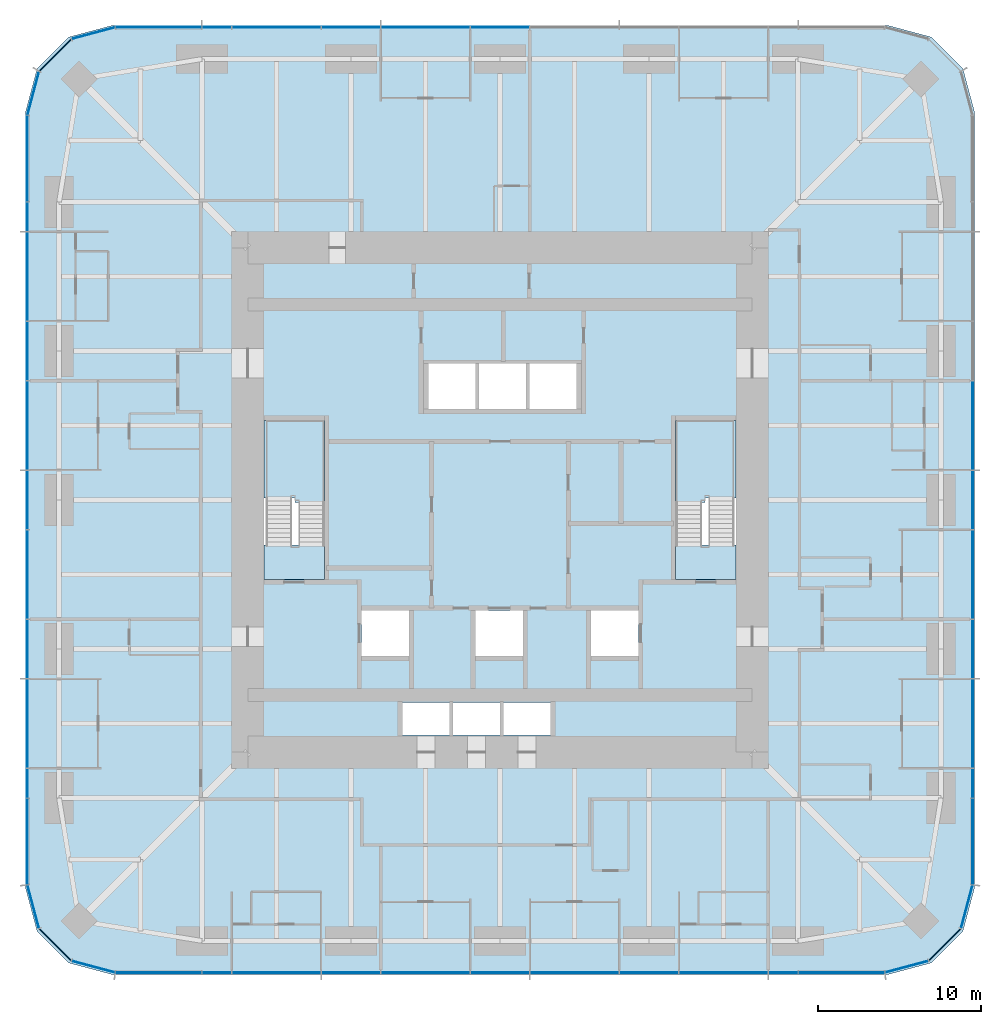
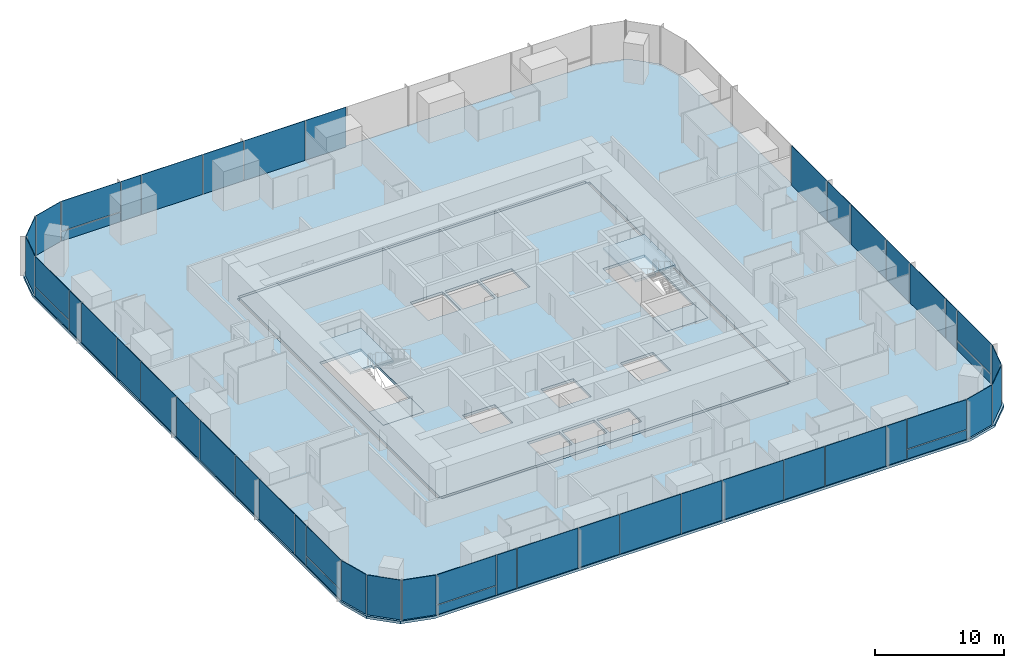
# One storey, part 7 of 13: 50 plates, 6 slabs, 9 elements without a shape of their own.
"""IFC4 building model written with IfcOpenShell, lengths in metres."""

from ifc_helpers import new_model, si_unit, direction, frame, origin, origin_2d, place, context, subcontext, project, spatial, polyline, rectangle, outline, extrude, material, layer, layer_set, type_object, element, aggregate, save


model = new_model("IFC4")

# Units and contexts
model_context = context("Model", 3, precision=1e-05, world=origin(), true_north=direction((0.0, 1.0)))
body_context = subcontext(model_context, "Body", "Model", "MODEL_VIEW")
ifc_project = project(units=[si_unit("LENGTHUNIT", "METRE"), si_unit("AREAUNIT", "SQUARE_METRE"), si_unit("VOLUMEUNIT", "CUBIC_METRE"), si_unit("PLANEANGLEUNIT", "RADIAN"), si_unit("MASSUNIT", "GRAM", prefix="KILO")], contexts=[model_context])

# Site, building, storey
site_placement = place(None, origin())
site = spatial("IfcSite", under=ifc_project, at=site_placement, CompositionType="ELEMENT")
building_placement = place(site_placement, origin())
building = spatial("IfcBuilding", under=site, at=building_placement, Name="Khuree Lantern Residences", CompositionType="ELEMENT")
storey_placement = place(building_placement, frame((0.0, 0.0, 122.25)))
storey = spatial("IfcBuildingStorey", under=building, at=storey_placement, Name="L30", CompositionType="ELEMENT", Elevation=122.25)

# Slab
ifc_material_1 = material(Name="Concrete C35/45", Category="concrete")
ifc_layer_1 = layer(ifc_material_1, 0.25)
ifc_layer_set_1 = layer_set([ifc_layer_1], Name="CFL250 CORE FLOOR SLAB 250")
slab_type_1 = type_object("IfcSlabType", Name="CFL250 CORE FLOOR SLAB 250", PredefinedType="FLOOR", material=ifc_layer_set_1)
slab_1_placement = place(storey_placement, frame((0.0, 0.0, -0.25)))
element("IfcSlab", 1, at=slab_1_placement, inside=storey, type_object=slab_type_1, Name="Core floor L30", PredefinedType="FLOOR", context=body_context, shape_type="SweptSolid", body=[
    extrude(outline(polyline([(-15.5, -15.5), (-15.5, 15.5), (15.5, 15.5), (15.5, -15.5), (-15.5, -15.5)]), holes=[polyline([(10.800048828125, 4.89990234375), (10.800048828125, -4.89990234375), (14.5, -4.89990234375), (14.5, 4.89990234375), (10.800048828125, 4.89990234375)]), polyline([(8.5, -6.800048828125), (5.60009765625, -6.800048828125), (5.60009765625, -9.60009765625), (8.5, -9.60009765625), (8.5, -6.800048828125)]), polyline([(4.699951171875, 8.39990234375), (1.800048828125, 8.39990234375), (1.800048828125, 5.60009765625), (4.699951171875, 5.60009765625), (4.699951171875, 8.39990234375)]), polyline([(3.10009765625, -12.449951171875), (0.199951171875, -12.449951171875), (0.199951171875, -14.449951171875), (3.10009765625, -14.449951171875), (3.10009765625, -12.449951171875)]), polyline([(1.60009765625, 8.39990234375), (-1.300048828125, 8.39990234375), (-1.300048828125, 5.60009765625), (1.60009765625, 5.60009765625), (1.60009765625, 8.39990234375)]), polyline([(1.39990234375, -6.800048828125), (-1.5, -6.800048828125), (-1.5, -9.60009765625), (1.39990234375, -9.60009765625), (1.39990234375, -6.800048828125)]), polyline([(-2.89990234375, -12.449951171875), (-2.89990234375, -14.449951171875), (0.0, -14.449951171875), (0.0, -12.449951171875), (-2.89990234375, -12.449951171875)]), polyline([(-4.39990234375, 8.39990234375), (-4.39990234375, 5.60009765625), (-1.5, 5.60009765625), (-1.5, 8.39990234375), (-4.39990234375, 8.39990234375)]), polyline([(-6.0, -12.449951171875), (-6.0, -14.449951171875), (-3.10009765625, -14.449951171875), (-3.10009765625, -12.449951171875), (-6.0, -12.449951171875)]), polyline([(-8.5, -6.800048828125), (-8.5, -9.60009765625), (-5.60009765625, -9.60009765625), (-5.60009765625, -6.800048828125), (-8.5, -6.800048828125)]), polyline([(-10.800048828125, 4.89990234375), (-14.5, 4.89990234375), (-14.5, -4.89990234375), (-10.800048828125, -4.89990234375), (-10.800048828125, 4.89990234375)])]), origin(), (0.0, 0.0, 1.0), 0.25),
])

# Curtain wall, plates
ifc_material_2 = material(Name="Bronze anodised aluminium", Category="aluminium")
curtain_wall_type_1 = type_object("IfcCurtainWallType", Name="CW-T2 TOWER CORNER CURTAIN WALL", PredefinedType="USERDEFINED", material=ifc_material_2)
curtain_wall_1_placement = place(storey_placement, origin())
curtain_wall_1 = element("IfcCurtainWall", 2, at=curtain_wall_1_placement, inside=storey, type_object=curtain_wall_type_1, Name="L30 SOUTH-EAST CORNER CURTAIN WALL", ObjectType="Faceted corner curtain wall", PredefinedType="USERDEFINED")
ifc_material_3 = material(Name="Bronze tinted triple glazing", Category="glass")
ifc_layer_2 = layer(ifc_material_3, 0.048095703125)
ifc_layer_set_2 = layer_set([ifc_layer_2], Name="FACET PANEL P4")
plate_type_1 = type_object("IfcPlateType", Name="FACET PANEL P4", PredefinedType="CURTAIN_PANEL", material=ifc_layer_set_2)
plate_1_placement = place(storey_placement, frame((24.998046875, -28.688720703125, 0.0), z_axis=(0.0, 0.0, 1.0), x_axis=(0.965925810153, 0.258819105321, 0.0)))
plate_1 = element("IfcPlate", 3, at=plate_1_placement, type_object=plate_type_1, Name="L30 SOUTH-EAST CORNER PANEL 1.1", PredefinedType="CURTAIN_PANEL", context=body_context, shape_type="SweptSolid", body=[
    extrude(rectangle(XDim=2.71923828125, YDim=0.048095703125, at=origin_2d()), origin(), (0.0, 0.0, 1.0), 3.75),
])
plate_2_placement = place(storey_placement, frame((27.33837890625, -27.33837890625, 0.0), z_axis=(0.0, 0.0, 1.0), x_axis=(0.707106781187, 0.707106781187, 0.0)))
plate_2 = element("IfcPlate", 4, at=plate_2_placement, type_object=plate_type_1, Name="L30 SOUTH-EAST CORNER PANEL 2.1", PredefinedType="CURTAIN_PANEL", context=body_context, shape_type="SweptSolid", body=[
    extrude(rectangle(XDim=2.715087890625, YDim=0.048095703125, at=origin_2d()), origin(), (0.0, 0.0, 1.0), 3.75),
])
plate_3_placement = place(storey_placement, frame((28.688720703125, -24.998046875, 0.0), z_axis=(0.0, 0.0, 1.0), x_axis=(0.258819105321, 0.965925810153, 0.0)))
plate_3 = element("IfcPlate", 5, at=plate_3_placement, type_object=plate_type_1, Name="L30 SOUTH-EAST CORNER PANEL 3.1", PredefinedType="CURTAIN_PANEL", context=body_context, shape_type="SweptSolid", body=[
    extrude(rectangle(XDim=2.71923828125, YDim=0.048095703125, at=origin_2d()), origin(), (0.0, 0.0, 1.0), 3.75),
])
aggregate(curtain_wall_1, [plate_1, plate_2, plate_3])

curtain_wall_2_placement = place(storey_placement, origin())
curtain_wall_2 = element("IfcCurtainWall", 6, at=curtain_wall_2_placement, inside=storey, type_object=curtain_wall_type_1, Name="L30 NORTH-WEST CORNER CURTAIN WALL", ObjectType="Faceted corner curtain wall", PredefinedType="USERDEFINED")
plate_4_placement = place(storey_placement, frame((-24.998046875, 28.688720703125, 0.0), z_axis=(0.0, 0.0, 1.0), x_axis=(-0.965925810153, -0.258819105321, 0.0)))
plate_4 = element("IfcPlate", 7, at=plate_4_placement, type_object=plate_type_1, Name="L30 NORTH-WEST CORNER PANEL 29.1", PredefinedType="CURTAIN_PANEL", context=body_context, shape_type="SweptSolid", body=[
    extrude(rectangle(XDim=2.71923828125, YDim=0.048095703125, at=origin_2d()), origin(), (0.0, 0.0, 1.0), 3.75),
])
plate_5_placement = place(storey_placement, frame((-27.33837890625, 27.33837890625, 0.0), z_axis=(0.0, 0.0, 1.0), x_axis=(-0.707106781187, -0.707106781187, 0.0)))
plate_5 = element("IfcPlate", 8, at=plate_5_placement, type_object=plate_type_1, Name="L30 NORTH-WEST CORNER PANEL 30.1", PredefinedType="CURTAIN_PANEL", context=body_context, shape_type="SweptSolid", body=[
    extrude(rectangle(XDim=2.715087890625, YDim=0.048095703125, at=origin_2d()), origin(), (0.0, 0.0, 1.0), 3.75),
])
plate_6_placement = place(storey_placement, frame((-28.688720703125, 24.998046875, 0.0), z_axis=(0.0, 0.0, 1.0), x_axis=(-0.258819105321, -0.965925810153, 0.0)))
plate_6 = element("IfcPlate", 9, at=plate_6_placement, type_object=plate_type_1, Name="L30 NORTH-WEST CORNER PANEL 31.1", PredefinedType="CURTAIN_PANEL", context=body_context, shape_type="SweptSolid", body=[
    extrude(rectangle(XDim=2.71923828125, YDim=0.048095703125, at=origin_2d()), origin(), (0.0, 0.0, 1.0), 3.75),
])
aggregate(curtain_wall_2, [plate_4, plate_5, plate_6])

curtain_wall_3_placement = place(storey_placement, origin())
curtain_wall_3 = element("IfcCurtainWall", 10, at=curtain_wall_3_placement, inside=storey, type_object=curtain_wall_type_1, Name="L30 SOUTH-WEST CORNER CURTAIN WALL", ObjectType="Faceted corner curtain wall", PredefinedType="USERDEFINED")
plate_7_placement = place(storey_placement, frame((-28.688720703125, -24.998046875, 0.0), z_axis=(0.0, 0.0, 1.0), x_axis=(0.258819105321, -0.965925810153, 0.0)))
plate_7 = element("IfcPlate", 11, at=plate_7_placement, type_object=plate_type_1, Name="L30 SOUTH-WEST CORNER PANEL 43.1", PredefinedType="CURTAIN_PANEL", context=body_context, shape_type="SweptSolid", body=[
    extrude(rectangle(XDim=2.71923828125, YDim=0.048095703125, at=origin_2d()), origin(), (0.0, 0.0, 1.0), 3.75),
])
plate_8_placement = place(storey_placement, frame((-27.33837890625, -27.33837890625, 0.0), z_axis=(0.0, 0.0, 1.0), x_axis=(0.707106781187, -0.707106781187, 0.0)))
plate_8 = element("IfcPlate", 12, at=plate_8_placement, type_object=plate_type_1, Name="L30 SOUTH-WEST CORNER PANEL 44.1", PredefinedType="CURTAIN_PANEL", context=body_context, shape_type="SweptSolid", body=[
    extrude(rectangle(XDim=2.715087890625, YDim=0.048095703125, at=origin_2d()), origin(), (0.0, 0.0, 1.0), 3.75),
])
plate_9_placement = place(storey_placement, frame((-24.998046875, -28.688720703125, 0.0), z_axis=(0.0, 0.0, 1.0), x_axis=(0.965925810153, -0.258819105321, 0.0)))
plate_9 = element("IfcPlate", 13, at=plate_9_placement, type_object=plate_type_1, Name="L30 SOUTH-WEST CORNER PANEL 45.1", PredefinedType="CURTAIN_PANEL", context=body_context, shape_type="SweptSolid", body=[
    extrude(rectangle(XDim=2.71923828125, YDim=0.048095703125, at=origin_2d()), origin(), (0.0, 0.0, 1.0), 3.75),
])
aggregate(curtain_wall_3, [plate_7, plate_8, plate_9])

curtain_wall_type_2 = type_object("IfcCurtainWallType", Name="CW-T1 TOWER FACE CURTAIN WALL", PredefinedType="USERDEFINED", material=ifc_material_2)
curtain_wall_4_placement = place(storey_placement, origin())
curtain_wall_4 = element("IfcCurtainWall", 14, at=curtain_wall_4_placement, inside=storey, type_object=curtain_wall_type_2, Name="L30 EAST FACE CURTAIN WALL", ObjectType="Stick-built curtain wall", PredefinedType="USERDEFINED")
ifc_material_4 = material(Name="Bronze tinted triple glazing with a ceramic-fritted spandrel band", Category="glass")
ifc_layer_3 = layer(ifc_material_4, 0.048095703125)
ifc_layer_set_3 = layer_set([ifc_layer_3], Name="FIXED LIGHT PANEL P11")
plate_type_2 = type_object("IfcPlateType", Name="FIXED LIGHT PANEL P11", PredefinedType="CURTAIN_PANEL", material=ifc_layer_set_3)
plate_10_placement = place(storey_placement, frame((29.050048828125, -13.739990234375, 0.0), z_axis=(0.0, 0.0, 1.0), x_axis=(0.0, 1.0, 0.0)))
plate_10 = element("IfcPlate", 15, at=plate_10_placement, type_object=plate_type_2, Name="L30 EAST FACE PANEL 6.1", PredefinedType="CURTAIN_PANEL", context=body_context, shape_type="SweptSolid", body=[
    extrude(rectangle(XDim=5.430908203125, YDim=0.048095703125, at=origin_2d()), origin(), (0.0, 0.0, 1.0), 3.75),
])
plate_11_placement = place(storey_placement, frame((29.050048828125, -4.580078125, 0.0), z_axis=(0.0, 0.0, 1.0), x_axis=(0.0, 1.0, 0.0)))
plate_11 = element("IfcPlate", 16, at=plate_11_placement, type_object=plate_type_2, Name="L30 EAST FACE PANEL 8.1", PredefinedType="CURTAIN_PANEL", context=body_context, shape_type="SweptSolid", body=[
    extrude(rectangle(XDim=5.430908203125, YDim=0.048095703125, at=origin_2d()), origin(), (0.0, 0.0, 1.0), 3.75),
])
plate_12_placement = place(storey_placement, frame((29.050048828125, 4.580078125, 0.0), z_axis=(0.0, 0.0, 1.0), x_axis=(0.0, 1.0, 0.0)))
plate_12 = element("IfcPlate", 17, at=plate_12_placement, type_object=plate_type_2, Name="L30 EAST FACE PANEL 10.1", PredefinedType="CURTAIN_PANEL", context=body_context, shape_type="SweptSolid", body=[
    extrude(rectangle(XDim=5.430908203125, YDim=0.048095703125, at=origin_2d()), origin(), (0.0, 0.0, 1.0), 3.75),
])

curtain_wall_5_placement = place(storey_placement, origin())
curtain_wall_5 = element("IfcCurtainWall", 18, at=curtain_wall_5_placement, inside=storey, type_object=curtain_wall_type_2, Name="L30 NORTH FACE CURTAIN WALL", ObjectType="Stick-built curtain wall", PredefinedType="USERDEFINED")
plate_13_placement = place(storey_placement, frame((-4.580078125, 29.050048828125, 0.0), z_axis=(0.0, 0.0, 1.0), x_axis=(-1.0, 0.0, 0.0)))
plate_13 = element("IfcPlate", 19, at=plate_13_placement, type_object=plate_type_2, Name="L30 NORTH FACE PANEL 24.1", PredefinedType="CURTAIN_PANEL", context=body_context, shape_type="SweptSolid", body=[
    extrude(rectangle(XDim=5.430908203125, YDim=0.048095703125, at=origin_2d()), origin(), (0.0, 0.0, 1.0), 3.75),
])
plate_14_placement = place(storey_placement, frame((-13.739990234375, 29.050048828125, 0.0), z_axis=(0.0, 0.0, 1.0), x_axis=(-1.0, 0.0, 0.0)))
plate_14 = element("IfcPlate", 20, at=plate_14_placement, type_object=plate_type_2, Name="L30 NORTH FACE PANEL 26.1", PredefinedType="CURTAIN_PANEL", context=body_context, shape_type="SweptSolid", body=[
    extrude(rectangle(XDim=5.430908203125, YDim=0.048095703125, at=origin_2d()), origin(), (0.0, 0.0, 1.0), 3.75),
])

curtain_wall_6_placement = place(storey_placement, origin())
curtain_wall_6 = element("IfcCurtainWall", 21, at=curtain_wall_6_placement, inside=storey, type_object=curtain_wall_type_2, Name="L30 WEST FACE CURTAIN WALL", ObjectType="Stick-built curtain wall", PredefinedType="USERDEFINED")
plate_15_placement = place(storey_placement, frame((-29.050048828125, 13.739990234375, 0.0), z_axis=(0.0, 0.0, 1.0), x_axis=(0.0, -1.0, 0.0)))
plate_15 = element("IfcPlate", 22, at=plate_15_placement, type_object=plate_type_2, Name="L30 WEST FACE PANEL 34.1", PredefinedType="CURTAIN_PANEL", context=body_context, shape_type="SweptSolid", body=[
    extrude(rectangle(XDim=5.430908203125, YDim=0.048095703125, at=origin_2d()), origin(), (0.0, 0.0, 1.0), 3.75),
])
plate_16_placement = place(storey_placement, frame((-29.050048828125, 4.580078125, 0.0), z_axis=(0.0, 0.0, 1.0), x_axis=(0.0, -1.0, 0.0)))
plate_16 = element("IfcPlate", 23, at=plate_16_placement, type_object=plate_type_2, Name="L30 WEST FACE PANEL 36.1", PredefinedType="CURTAIN_PANEL", context=body_context, shape_type="SweptSolid", body=[
    extrude(rectangle(XDim=5.430908203125, YDim=0.048095703125, at=origin_2d()), origin(), (0.0, 0.0, 1.0), 3.75),
])
plate_17_placement = place(storey_placement, frame((-29.050048828125, -4.580078125, 0.0), z_axis=(0.0, 0.0, 1.0), x_axis=(0.0, -1.0, 0.0)))
plate_17 = element("IfcPlate", 24, at=plate_17_placement, type_object=plate_type_2, Name="L30 WEST FACE PANEL 38.1", PredefinedType="CURTAIN_PANEL", context=body_context, shape_type="SweptSolid", body=[
    extrude(rectangle(XDim=5.430908203125, YDim=0.048095703125, at=origin_2d()), origin(), (0.0, 0.0, 1.0), 3.75),
])
plate_18_placement = place(storey_placement, frame((-29.050048828125, -13.739990234375, 0.0), z_axis=(0.0, 0.0, 1.0), x_axis=(0.0, -1.0, 0.0)))
plate_18 = element("IfcPlate", 25, at=plate_18_placement, type_object=plate_type_2, Name="L30 WEST FACE PANEL 40.1", PredefinedType="CURTAIN_PANEL", context=body_context, shape_type="SweptSolid", body=[
    extrude(rectangle(XDim=5.430908203125, YDim=0.048095703125, at=origin_2d()), origin(), (0.0, 0.0, 1.0), 3.75),
])

curtain_wall_7_placement = place(storey_placement, origin())
curtain_wall_7 = element("IfcCurtainWall", 26, at=curtain_wall_7_placement, inside=storey, type_object=curtain_wall_type_2, Name="L30 SOUTH FACE CURTAIN WALL", ObjectType="Stick-built curtain wall", PredefinedType="USERDEFINED")
plate_19_placement = place(storey_placement, frame((-13.739990234375, -29.050048828125, 0.0), z_axis=(0.0, 0.0, 1.0), x_axis=(1.0, 0.0, 0.0)))
plate_19 = element("IfcPlate", 27, at=plate_19_placement, type_object=plate_type_2, Name="L30 SOUTH FACE PANEL 48.1", PredefinedType="CURTAIN_PANEL", context=body_context, shape_type="SweptSolid", body=[
    extrude(rectangle(XDim=5.430908203125, YDim=0.048095703125, at=origin_2d()), origin(), (0.0, 0.0, 1.0), 3.75),
])
plate_20_placement = place(storey_placement, frame((-4.580078125, -29.050048828125, 0.0), z_axis=(0.0, 0.0, 1.0), x_axis=(1.0, 0.0, 0.0)))
plate_20 = element("IfcPlate", 28, at=plate_20_placement, type_object=plate_type_2, Name="L30 SOUTH FACE PANEL 50.1", PredefinedType="CURTAIN_PANEL", context=body_context, shape_type="SweptSolid", body=[
    extrude(rectangle(XDim=5.430908203125, YDim=0.048095703125, at=origin_2d()), origin(), (0.0, 0.0, 1.0), 3.75),
])
plate_21_placement = place(storey_placement, frame((4.580078125, -29.050048828125, 0.0), z_axis=(0.0, 0.0, 1.0), x_axis=(1.0, 0.0, 0.0)))
plate_21 = element("IfcPlate", 29, at=plate_21_placement, type_object=plate_type_2, Name="L30 SOUTH FACE PANEL 52.1", PredefinedType="CURTAIN_PANEL", context=body_context, shape_type="SweptSolid", body=[
    extrude(rectangle(XDim=5.430908203125, YDim=0.048095703125, at=origin_2d()), origin(), (0.0, 0.0, 1.0), 3.75),
])
plate_22_placement = place(storey_placement, frame((13.739990234375, -29.050048828125, 0.0), z_axis=(0.0, 0.0, 1.0), x_axis=(1.0, 0.0, 0.0)))
plate_22 = element("IfcPlate", 30, at=plate_22_placement, type_object=plate_type_2, Name="L30 SOUTH FACE PANEL 54.1", PredefinedType="CURTAIN_PANEL", context=body_context, shape_type="SweptSolid", body=[
    extrude(rectangle(XDim=5.430908203125, YDim=0.048095703125, at=origin_2d()), origin(), (0.0, 0.0, 1.0), 3.75),
])

# Slab
ifc_layer_4 = layer(ifc_material_1, 0.25)
ifc_layer_set_4 = layer_set([ifc_layer_4], Name="FS250 FLOOR SLAB 250")
slab_type_2 = type_object("IfcSlabType", Name="FS250 FLOOR SLAB 250", PredefinedType="FLOOR", material=ifc_layer_set_4)
slab_2_placement = place(storey_placement, frame((0.0, 0.0, -0.25)))
element("IfcSlab", 31, at=slab_2_placement, inside=storey, type_object=slab_type_2, Name="Floor slab L30", PredefinedType="FLOOR", context=body_context, shape_type="SweptSolid", body=[
    extrude(outline(polyline([(-26.52490234375, -28.446533203125), (-28.446533203125, -26.52490234375), (-29.14990234375, -23.89990234375), (-29.14990234375, 23.89990234375), (-28.446533203125, 26.52490234375), (-26.52490234375, 28.446533203125), (-23.89990234375, 29.14990234375), (23.89990234375, 29.14990234375), (26.52490234375, 28.446533203125), (28.446533203125, 26.52490234375), (29.14990234375, 23.89990234375), (29.14990234375, -23.89990234375), (28.446533203125, -26.52490234375), (26.52490234375, -28.446533203125), (23.89990234375, -29.14990234375), (-23.89990234375, -29.14990234375), (-26.52490234375, -28.446533203125)]), holes=[polyline([(15.75, 15.5), (15.5, 15.5), (15.5, 15.75), (-15.5, 15.75), (-15.5, 15.5), (-15.75, 15.5), (-15.75, -15.5), (-15.5, -15.5), (-15.5, -15.75), (15.5, -15.75), (15.5, -15.5), (15.75, -15.5), (15.75, 15.5)])]), origin(), (0.0, 0.0, 1.0), 0.25),
])

# Plate
ifc_material_5 = material(Name="Bronze tinted triple glazing, two aluminium-framed sashes in one frame", Category="aluminium")
ifc_layer_5 = layer(ifc_material_5, 0.048095703125)
ifc_layer_set_5 = layer_set([ifc_layer_5], Name="SASH PAIR PANEL P12")
plate_type_3 = type_object("IfcPlateType", Name="SASH PAIR PANEL P12", PredefinedType="CURTAIN_PANEL", material=ifc_layer_set_5)
plate_23_placement = place(storey_placement, frame((29.050048828125, -9.159912109375, 0.0), z_axis=(0.0, 0.0, 1.0), x_axis=(0.0, 1.0, 0.0)))
plate_23 = element("IfcPlate", 32, at=plate_23_placement, type_object=plate_type_3, Name="L30 EAST FACE PANEL 7.1", PredefinedType="CURTAIN_PANEL", context=body_context, shape_type="SweptSolid", body=[
    extrude(rectangle(XDim=3.59912109375, YDim=0.048095703125, at=origin_2d()), origin(), (0.0, 0.0, 1.0), 3.75),
])

plate_24_placement = place(storey_placement, frame((29.050048828125, 0.0, 0.0), z_axis=(0.0, 0.0, 1.0), x_axis=(0.0, 1.0, 0.0)))
plate_24 = element("IfcPlate", 33, at=plate_24_placement, type_object=plate_type_3, Name="L30 EAST FACE PANEL 9.1", PredefinedType="CURTAIN_PANEL", context=body_context, shape_type="SweptSolid", body=[
    extrude(rectangle(XDim=3.59912109375, YDim=0.048095703125, at=origin_2d()), origin(), (0.0, 0.0, 1.0), 3.75),
])

plate_25_placement = place(storey_placement, frame((0.0, 29.050048828125, 0.0), z_axis=(0.0, 0.0, 1.0), x_axis=(-1.0, 0.0, 0.0)))
plate_25 = element("IfcPlate", 34, at=plate_25_placement, type_object=plate_type_3, Name="L30 NORTH FACE PANEL 23.1", PredefinedType="CURTAIN_PANEL", context=body_context, shape_type="SweptSolid", body=[
    extrude(rectangle(XDim=3.59912109375, YDim=0.048095703125, at=origin_2d()), origin(), (0.0, 0.0, 1.0), 3.75),
])

plate_26_placement = place(storey_placement, frame((-9.159912109375, 29.050048828125, 0.0), z_axis=(0.0, 0.0, 1.0), x_axis=(-1.0, 0.0, 0.0)))
plate_26 = element("IfcPlate", 35, at=plate_26_placement, type_object=plate_type_3, Name="L30 NORTH FACE PANEL 25.1", PredefinedType="CURTAIN_PANEL", context=body_context, shape_type="SweptSolid", body=[
    extrude(rectangle(XDim=3.59912109375, YDim=0.048095703125, at=origin_2d()), origin(), (0.0, 0.0, 1.0), 3.75),
])

plate_27_placement = place(storey_placement, frame((-29.050048828125, 9.159912109375, 0.0), z_axis=(0.0, 0.0, 1.0), x_axis=(0.0, -1.0, 0.0)))
plate_27 = element("IfcPlate", 36, at=plate_27_placement, type_object=plate_type_3, Name="L30 WEST FACE PANEL 35.1", PredefinedType="CURTAIN_PANEL", context=body_context, shape_type="SweptSolid", body=[
    extrude(rectangle(XDim=3.59912109375, YDim=0.048095703125, at=origin_2d()), origin(), (0.0, 0.0, 1.0), 3.75),
])

plate_28_placement = place(storey_placement, frame((-29.050048828125, 0.0, 0.0), z_axis=(0.0, 0.0, 1.0), x_axis=(0.0, -1.0, 0.0)))
plate_28 = element("IfcPlate", 37, at=plate_28_placement, type_object=plate_type_3, Name="L30 WEST FACE PANEL 37.1", PredefinedType="CURTAIN_PANEL", context=body_context, shape_type="SweptSolid", body=[
    extrude(rectangle(XDim=3.59912109375, YDim=0.048095703125, at=origin_2d()), origin(), (0.0, 0.0, 1.0), 3.75),
])

plate_29_placement = place(storey_placement, frame((-29.050048828125, -9.159912109375, 0.0), z_axis=(0.0, 0.0, 1.0), x_axis=(0.0, -1.0, 0.0)))
plate_29 = element("IfcPlate", 38, at=plate_29_placement, type_object=plate_type_3, Name="L30 WEST FACE PANEL 39.1", PredefinedType="CURTAIN_PANEL", context=body_context, shape_type="SweptSolid", body=[
    extrude(rectangle(XDim=3.59912109375, YDim=0.048095703125, at=origin_2d()), origin(), (0.0, 0.0, 1.0), 3.75),
])

plate_30_placement = place(storey_placement, frame((-9.159912109375, -29.050048828125, 0.0), z_axis=(0.0, 0.0, 1.0), x_axis=(1.0, 0.0, 0.0)))
plate_30 = element("IfcPlate", 39, at=plate_30_placement, type_object=plate_type_3, Name="L30 SOUTH FACE PANEL 49.1", PredefinedType="CURTAIN_PANEL", context=body_context, shape_type="SweptSolid", body=[
    extrude(rectangle(XDim=3.59912109375, YDim=0.048095703125, at=origin_2d()), origin(), (0.0, 0.0, 1.0), 3.75),
])

plate_31_placement = place(storey_placement, frame((0.0, -29.050048828125, 0.0), z_axis=(0.0, 0.0, 1.0), x_axis=(1.0, 0.0, 0.0)))
plate_31 = element("IfcPlate", 40, at=plate_31_placement, type_object=plate_type_3, Name="L30 SOUTH FACE PANEL 51.1", PredefinedType="CURTAIN_PANEL", context=body_context, shape_type="SweptSolid", body=[
    extrude(rectangle(XDim=3.59912109375, YDim=0.048095703125, at=origin_2d()), origin(), (0.0, 0.0, 1.0), 3.75),
])

plate_32_placement = place(storey_placement, frame((9.159912109375, -29.050048828125, 0.0), z_axis=(0.0, 0.0, 1.0), x_axis=(1.0, 0.0, 0.0)))
plate_32 = element("IfcPlate", 41, at=plate_32_placement, type_object=plate_type_3, Name="L30 SOUTH FACE PANEL 53.1", PredefinedType="CURTAIN_PANEL", context=body_context, shape_type="SweptSolid", body=[
    extrude(rectangle(XDim=3.59912109375, YDim=0.048095703125, at=origin_2d()), origin(), (0.0, 0.0, 1.0), 3.75),
])

ifc_material_6 = material(Name="Bronze tinted triple glazing, aluminium-framed sash", Category="aluminium")
ifc_layer_6 = layer(ifc_material_6, 0.048095703125)
ifc_layer_set_6 = layer_set([ifc_layer_6], Name="SASH PANEL P3")
plate_type_4 = type_object("IfcPlateType", Name="SASH PANEL P3", PredefinedType="CURTAIN_PANEL", material=ifc_layer_set_6)
plate_33_placement = place(storey_placement, frame((29.050048828125, -17.404052734375, 0.0), z_axis=(0.0, 0.0, 1.0), x_axis=(0.0, 1.0, 0.0)))
plate_33 = element("IfcPlate", 42, at=plate_33_placement, type_object=plate_type_4, Name="L30 EAST FACE PANEL 5.1", PredefinedType="CURTAIN_PANEL", context=body_context, shape_type="SweptSolid", body=[
    extrude(rectangle(XDim=1.76708984375, YDim=0.048095703125, at=origin_2d()), origin(), (0.0, 0.0, 1.0), 3.75),
])

plate_34_placement = place(storey_placement, frame((-17.404052734375, 29.050048828125, 0.0), z_axis=(0.0, 0.0, 1.0), x_axis=(-1.0, 0.0, 0.0)))
plate_34 = element("IfcPlate", 43, at=plate_34_placement, type_object=plate_type_4, Name="L30 NORTH FACE PANEL 27.1", PredefinedType="CURTAIN_PANEL", context=body_context, shape_type="SweptSolid", body=[
    extrude(rectangle(XDim=1.76708984375, YDim=0.048095703125, at=origin_2d()), origin(), (0.0, 0.0, 1.0), 3.75),
])

plate_35_placement = place(storey_placement, frame((-29.050048828125, 17.404052734375, 0.0), z_axis=(0.0, 0.0, 1.0), x_axis=(0.0, -1.0, 0.0)))
plate_35 = element("IfcPlate", 44, at=plate_35_placement, type_object=plate_type_4, Name="L30 WEST FACE PANEL 33.1", PredefinedType="CURTAIN_PANEL", context=body_context, shape_type="SweptSolid", body=[
    extrude(rectangle(XDim=1.76708984375, YDim=0.048095703125, at=origin_2d()), origin(), (0.0, 0.0, 1.0), 3.75),
])

plate_36_placement = place(storey_placement, frame((-29.050048828125, -17.404052734375, 0.0), z_axis=(0.0, 0.0, 1.0), x_axis=(0.0, -1.0, 0.0)))
plate_36 = element("IfcPlate", 45, at=plate_36_placement, type_object=plate_type_4, Name="L30 WEST FACE PANEL 41.1", PredefinedType="CURTAIN_PANEL", context=body_context, shape_type="SweptSolid", body=[
    extrude(rectangle(XDim=1.76708984375, YDim=0.048095703125, at=origin_2d()), origin(), (0.0, 0.0, 1.0), 3.75),
])

plate_37_placement = place(storey_placement, frame((-17.404052734375, -29.050048828125, 0.0), z_axis=(0.0, 0.0, 1.0), x_axis=(1.0, 0.0, 0.0)))
plate_37 = element("IfcPlate", 46, at=plate_37_placement, type_object=plate_type_4, Name="L30 SOUTH FACE PANEL 47.1", PredefinedType="CURTAIN_PANEL", context=body_context, shape_type="SweptSolid", body=[
    extrude(rectangle(XDim=1.76708984375, YDim=0.048095703125, at=origin_2d()), origin(), (0.0, 0.0, 1.0), 3.75),
])

plate_38_placement = place(storey_placement, frame((17.404052734375, -29.050048828125, 0.0), z_axis=(0.0, 0.0, 1.0), x_axis=(1.0, 0.0, 0.0)))
plate_38 = element("IfcPlate", 47, at=plate_38_placement, type_object=plate_type_4, Name="L30 SOUTH FACE PANEL 55.1", PredefinedType="CURTAIN_PANEL", context=body_context, shape_type="SweptSolid", body=[
    extrude(rectangle(XDim=1.76708984375, YDim=0.048095703125, at=origin_2d()), origin(), (0.0, 0.0, 1.0), 3.75),
])

ifc_material_7 = material(Name="Bronze anodised aluminium insulated spandrel", Category="aluminium")
ifc_layer_7 = layer(ifc_material_7, 0.06005859375)
ifc_layer_set_7 = layer_set([ifc_layer_7], Name="SPANDREL PANEL P2")
plate_type_5 = type_object("IfcPlateType", Name="SPANDREL PANEL P2", PredefinedType="CURTAIN_PANEL", material=ifc_layer_set_7)
plate_39_placement = place(storey_placement, frame((29.050048828125, -20.98291015625, 0.0), z_axis=(0.0, 0.0, 1.0), x_axis=(0.0, 1.0, 0.0)))
plate_39 = element("IfcPlate", 48, at=plate_39_placement, type_object=plate_type_5, Name="L30 EAST FACE PANEL 4.1", PredefinedType="CURTAIN_PANEL", context=body_context, shape_type="SweptSolid", body=[
    extrude(rectangle(XDim=5.2607421875, YDim=0.06005859375, at=origin_2d()), origin(), (0.0, 0.0, 1.0), 0.867431640625),
])

plate_40_placement = place(storey_placement, frame((-20.98291015625, 29.050048828125, 0.0), z_axis=(0.0, 0.0, 1.0), x_axis=(-1.0, 0.0, 0.0)))
plate_40 = element("IfcPlate", 49, at=plate_40_placement, type_object=plate_type_5, Name="L30 NORTH FACE PANEL 28.1", PredefinedType="CURTAIN_PANEL", context=body_context, shape_type="SweptSolid", body=[
    extrude(rectangle(XDim=5.2607421875, YDim=0.06005859375, at=origin_2d()), origin(), (0.0, 0.0, 1.0), 0.867431640625),
])

plate_41_placement = place(storey_placement, frame((-29.050048828125, 20.98291015625, 0.0), z_axis=(0.0, 0.0, 1.0), x_axis=(0.0, -1.0, 0.0)))
plate_41 = element("IfcPlate", 50, at=plate_41_placement, type_object=plate_type_5, Name="L30 WEST FACE PANEL 32.1", PredefinedType="CURTAIN_PANEL", context=body_context, shape_type="SweptSolid", body=[
    extrude(rectangle(XDim=5.2607421875, YDim=0.06005859375, at=origin_2d()), origin(), (0.0, 0.0, 1.0), 0.867431640625),
])

plate_42_placement = place(storey_placement, frame((-29.050048828125, -20.98291015625, 0.0), z_axis=(0.0, 0.0, 1.0), x_axis=(0.0, -1.0, 0.0)))
plate_42 = element("IfcPlate", 51, at=plate_42_placement, type_object=plate_type_5, Name="L30 WEST FACE PANEL 42.1", PredefinedType="CURTAIN_PANEL", context=body_context, shape_type="SweptSolid", body=[
    extrude(rectangle(XDim=5.2607421875, YDim=0.06005859375, at=origin_2d()), origin(), (0.0, 0.0, 1.0), 0.867431640625),
])

plate_43_placement = place(storey_placement, frame((-20.98291015625, -29.050048828125, 0.0), z_axis=(0.0, 0.0, 1.0), x_axis=(1.0, 0.0, 0.0)))
plate_43 = element("IfcPlate", 52, at=plate_43_placement, type_object=plate_type_5, Name="L30 SOUTH FACE PANEL 46.1", PredefinedType="CURTAIN_PANEL", context=body_context, shape_type="SweptSolid", body=[
    extrude(rectangle(XDim=5.2607421875, YDim=0.06005859375, at=origin_2d()), origin(), (0.0, 0.0, 1.0), 0.867431640625),
])

plate_44_placement = place(storey_placement, frame((20.98291015625, -29.050048828125, 0.0), z_axis=(0.0, 0.0, 1.0), x_axis=(1.0, 0.0, 0.0)))
plate_44 = element("IfcPlate", 53, at=plate_44_placement, type_object=plate_type_5, Name="L30 SOUTH FACE PANEL 56.1", PredefinedType="CURTAIN_PANEL", context=body_context, shape_type="SweptSolid", body=[
    extrude(rectangle(XDim=5.2607421875, YDim=0.06005859375, at=origin_2d()), origin(), (0.0, 0.0, 1.0), 0.867431640625),
])

# Stair, slabs
ifc_material_8 = material(Name="Concrete C40/50", Category="concrete")
stair_type = type_object("IfcStairType", Name="STAIR ST1 HALF TURN 3600", PredefinedType="HALF_TURN_STAIR", material=ifc_material_8)
stair_1_placement = place(storey_placement, origin())
stair_1 = element("IfcStair", 54, at=stair_1_placement, inside=storey, type_object=stair_type, Name="Stair ST1", PredefinedType="HALF_TURN_STAIR")
ifc_layer_8 = layer(ifc_material_8, 0.199951171875)
ifc_layer_set_8 = layer_set([ifc_layer_8], Name="STAIR LANDING SL1 200")
slab_type_3 = type_object("IfcSlabType", Name="STAIR LANDING SL1 200", PredefinedType="LANDING", material=ifc_layer_set_8)
slab_3_placement = place(storey_placement, frame((0.0, 0.0, -0.199951171875)))
slab_3 = element("IfcSlab", 55, at=slab_3_placement, type_object=slab_type_3, Name="ST1 landing 1", PredefinedType="LANDING", context=body_context, shape_type="SweptSolid", body=[
    extrude(outline(polyline([(-14.5, -4.89990234375), (-10.800048828125, -4.89990234375), (-10.800048828125, -2.760009765625), (-14.5, -2.760009765625), (-14.5, -4.89990234375)])), origin(), (0.0, 0.0, 1.0), 0.199951171875),
])
slab_4_placement = place(storey_placement, frame((0.0, 0.0, 1.756591796875)))
slab_4 = element("IfcSlab", 56, at=slab_4_placement, type_object=slab_type_3, Name="ST1 landing 2", PredefinedType="LANDING", context=body_context, shape_type="SweptSolid", body=[
    extrude(outline(polyline([(-14.5, 0.1201171875), (-14.5, 4.89990234375), (-10.800048828125, 4.89990234375), (-10.800048828125, -0.159912109375), (-12.60009765625, -0.159912109375), (-12.60009765625, 0.1201171875), (-14.5, 0.1201171875)])), origin(), (0.0, 0.0, 1.0), 0.199951171875),
])
aggregate(stair_1, [slab_3, slab_4])

stair_2_placement = place(storey_placement, origin())
stair_2 = element("IfcStair", 57, at=stair_2_placement, inside=storey, type_object=stair_type, Name="Stair ST2", PredefinedType="HALF_TURN_STAIR")
slab_5_placement = place(storey_placement, frame((0.0, 0.0, -0.199951171875)))
slab_5 = element("IfcSlab", 58, at=slab_5_placement, type_object=slab_type_3, Name="ST2 landing 1", PredefinedType="LANDING", context=body_context, shape_type="SweptSolid", body=[
    extrude(outline(polyline([(10.800048828125, -4.89990234375), (14.5, -4.89990234375), (14.5, -2.760009765625), (10.800048828125, -2.760009765625), (10.800048828125, -4.89990234375)])), origin(), (0.0, 0.0, 1.0), 0.199951171875),
])
slab_6_placement = place(storey_placement, frame((0.0, 0.0, 1.756591796875)))
slab_6 = element("IfcSlab", 59, at=slab_6_placement, type_object=slab_type_3, Name="ST2 landing 2", PredefinedType="LANDING", context=body_context, shape_type="SweptSolid", body=[
    extrude(outline(polyline([(14.5, 4.89990234375), (14.5, 0.1201171875), (12.60009765625, 0.1201171875), (12.60009765625, -0.159912109375), (10.800048828125, -0.159912109375), (10.800048828125, 4.89990234375), (14.5, 4.89990234375)])), origin(), (0.0, 0.0, 1.0), 0.199951171875),
])
aggregate(stair_2, [slab_5, slab_6])

# Plate
ifc_layer_9 = layer(ifc_material_3, 0.048095703125)
ifc_layer_set_9 = layer_set([ifc_layer_9], Name="VISION PANEL P1")
plate_type_6 = type_object("IfcPlateType", Name="VISION PANEL P1", PredefinedType="CURTAIN_PANEL", material=ifc_layer_set_9)
plate_45_placement = place(storey_placement, frame((29.050048828125, -20.9833984375, 0.9326171875), z_axis=(0.0, 0.0, 1.0), x_axis=(0.0, 1.0, 0.0)))
plate_45 = element("IfcPlate", 60, at=plate_45_placement, type_object=plate_type_6, Name="L30 EAST FACE PANEL 4.2", PredefinedType="CURTAIN_PANEL", context=body_context, shape_type="SweptSolid", body=[
    extrude(rectangle(XDim=5.261474609375, YDim=0.048095703125, at=origin_2d()), origin(), (0.0, 0.0, 1.0), 2.8173828125),
])

aggregate(curtain_wall_4, [plate_39, plate_45, plate_33, plate_10, plate_23, plate_11, plate_24, plate_12])

plate_46_placement = place(storey_placement, frame((-20.9833984375, 29.050048828125, 0.9326171875), z_axis=(0.0, 0.0, 1.0), x_axis=(-1.0, 0.0, 0.0)))
plate_46 = element("IfcPlate", 61, at=plate_46_placement, type_object=plate_type_6, Name="L30 NORTH FACE PANEL 28.2", PredefinedType="CURTAIN_PANEL", context=body_context, shape_type="SweptSolid", body=[
    extrude(rectangle(XDim=5.261474609375, YDim=0.048095703125, at=origin_2d()), origin(), (0.0, 0.0, 1.0), 2.8173828125),
])

aggregate(curtain_wall_5, [plate_25, plate_13, plate_26, plate_14, plate_34, plate_40, plate_46])

plate_47_placement = place(storey_placement, frame((-29.050048828125, 20.9833984375, 0.9326171875), z_axis=(0.0, 0.0, 1.0), x_axis=(0.0, -1.0, 0.0)))
plate_47 = element("IfcPlate", 62, at=plate_47_placement, type_object=plate_type_6, Name="L30 WEST FACE PANEL 32.2", PredefinedType="CURTAIN_PANEL", context=body_context, shape_type="SweptSolid", body=[
    extrude(rectangle(XDim=5.261474609375, YDim=0.048095703125, at=origin_2d()), origin(), (0.0, 0.0, 1.0), 2.8173828125),
])

plate_48_placement = place(storey_placement, frame((-29.050048828125, -20.9833984375, 0.9326171875), z_axis=(0.0, 0.0, 1.0), x_axis=(0.0, -1.0, 0.0)))
plate_48 = element("IfcPlate", 63, at=plate_48_placement, type_object=plate_type_6, Name="L30 WEST FACE PANEL 42.2", PredefinedType="CURTAIN_PANEL", context=body_context, shape_type="SweptSolid", body=[
    extrude(rectangle(XDim=5.261474609375, YDim=0.048095703125, at=origin_2d()), origin(), (0.0, 0.0, 1.0), 2.8173828125),
])

aggregate(curtain_wall_6, [plate_41, plate_47, plate_35, plate_15, plate_27, plate_16, plate_28, plate_17, plate_29, plate_18, plate_36, plate_42, plate_48])

plate_49_placement = place(storey_placement, frame((-20.9833984375, -29.050048828125, 0.9326171875), z_axis=(0.0, 0.0, 1.0), x_axis=(1.0, 0.0, 0.0)))
plate_49 = element("IfcPlate", 64, at=plate_49_placement, type_object=plate_type_6, Name="L30 SOUTH FACE PANEL 46.2", PredefinedType="CURTAIN_PANEL", context=body_context, shape_type="SweptSolid", body=[
    extrude(rectangle(XDim=5.261474609375, YDim=0.048095703125, at=origin_2d()), origin(), (0.0, 0.0, 1.0), 2.8173828125),
])

plate_50_placement = place(storey_placement, frame((20.9833984375, -29.050048828125, 0.9326171875), z_axis=(0.0, 0.0, 1.0), x_axis=(1.0, 0.0, 0.0)))
plate_50 = element("IfcPlate", 65, at=plate_50_placement, type_object=plate_type_6, Name="L30 SOUTH FACE PANEL 56.2", PredefinedType="CURTAIN_PANEL", context=body_context, shape_type="SweptSolid", body=[
    extrude(rectangle(XDim=5.261474609375, YDim=0.048095703125, at=origin_2d()), origin(), (0.0, 0.0, 1.0), 2.8173828125),
])

aggregate(curtain_wall_7, [plate_43, plate_49, plate_37, plate_19, plate_30, plate_20, plate_31, plate_21, plate_32, plate_22, plate_38, plate_44, plate_50])

save(model, "model.ifc")
